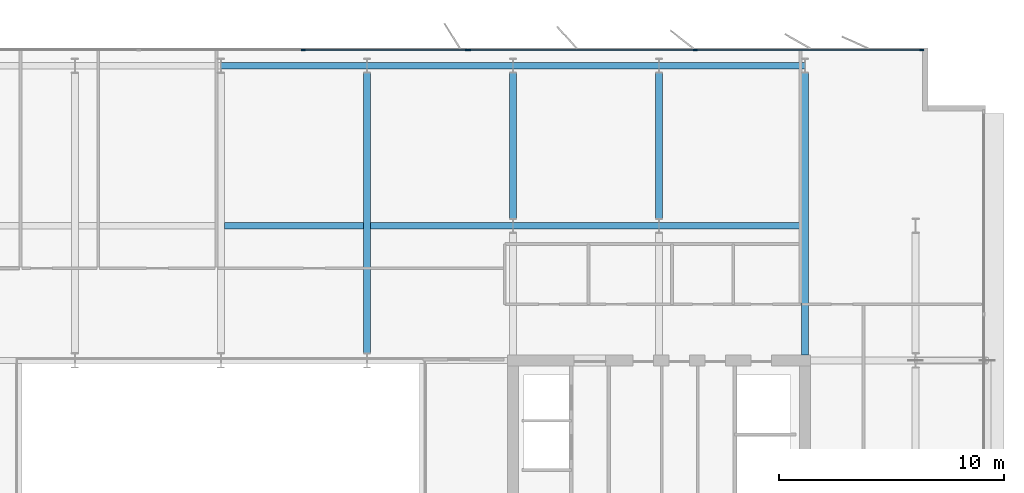
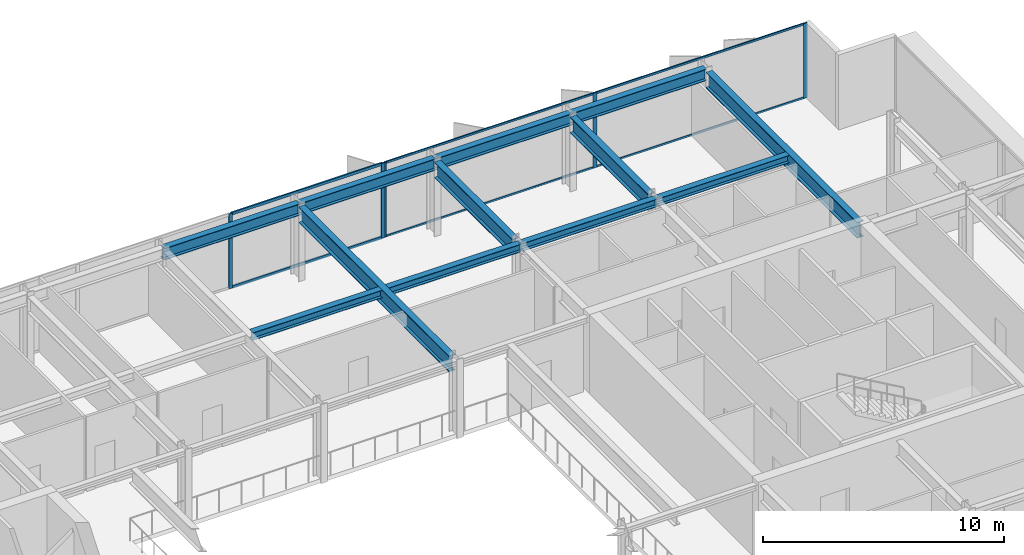
# One storey, part 9 of 20: 12 beams, 11 members, 2 elements without a shape of their own.
"""IFC4 building model written with IfcOpenShell, lengths in metres."""

from ifc_helpers import new_model, si_unit, direction, frame, origin, origin_2d, place, context, subcontext, project, spatial, rectangle, i_section, extrude, material, layer, layer_set, material_profile, profile_set, type_object, element, aggregate, save


model = new_model("IFC4")

# Units and contexts
model_context = context("Model", 3, precision=1e-05, world=origin(), true_north=direction((0.0, 1.0)))
body_context = subcontext(model_context, "Body", "Model", "MODEL_VIEW")
ifc_project = project(units=[si_unit("LENGTHUNIT", "METRE"), si_unit("AREAUNIT", "SQUARE_METRE"), si_unit("VOLUMEUNIT", "CUBIC_METRE"), si_unit("PLANEANGLEUNIT", "RADIAN"), si_unit("MASSUNIT", "GRAM", prefix="KILO")], contexts=[model_context])

# Site, building, storey
site_placement = place(None, origin())
site = spatial("IfcSite", under=ifc_project, at=site_placement, CompositionType="ELEMENT")
building_placement = place(site_placement, origin())
building = spatial("IfcBuilding", under=site, at=building_placement, Name="Putna Gate Headquarters", CompositionType="ELEMENT")
storey_placement = place(building_placement, frame((0.0, 0.0, 286.39990234375)))
storey = spatial("IfcBuildingStorey", under=building, at=storey_placement, Name="L72", CompositionType="ELEMENT", Elevation=286.39990234375)

# Beams
ifc_material_1 = material(Name="Steel S355J2", Category="steel")
ifc_material_profile_1 = material_profile(ifc_material_1, i_section(OverallWidth=0.300048828125, OverallDepth=0.800048828125, WebThickness=0.017578125, FlangeThickness=0.032958984375, at=origin_2d()), Name="Steel S355J2")
ifc_profile_set_1 = profile_set([ifc_material_profile_1], Name="Steel S355J2")
beam_type_1 = type_object("IfcBeamType", Name="BM-GIRD-P-HEB800", PredefinedType="USERDEFINED", material=ifc_profile_set_1)
beam_1_placement = place(storey_placement, frame((45.5, 33.322021484375, 3.38818359375), z_axis=(0.0, 1.0, 0.0), x_axis=(-1.0, 0.0, 0.0)))
element("IfcBeam", 1, at=beam_1_placement, inside=storey, type_object=beam_type_1, Name="L72 North Primary Girder X45", ObjectType="GIRDER", PredefinedType="USERDEFINED", context=body_context, shape_type="SweptSolid", body=[
    extrude(i_section(OverallWidth=0.300048828125, OverallDepth=0.800048828125, WebThickness=0.017578125, FlangeThickness=0.032958984375, at=origin_2d()), origin(), (0.0, 0.0, 1.0), 12.47607421875),
])
for number, where, z_axis, x_axis, name in (
    (2, (52.0, 39.322021484375, 3.38818359375), (0.0, 1.0, 0.0), (-1.0, 0.0, 0.0), "L72 North Primary Girder X52-2"),
    (3, (58.5, 39.322021484375, 3.38818359375), (0.0, 1.0, 0.0), (-1.0, 0.0, 0.0), "L72 North Primary Girder X58-2"),
):
    element("IfcBeam", number, at=place(storey_placement, frame(where, z_axis=z_axis, x_axis=x_axis)), inside=storey, type_object=beam_type_1, Name=name, ObjectType="GIRDER", PredefinedType="USERDEFINED", context=body_context, shape_type="SweptSolid", body=[
        extrude(i_section(OverallWidth=0.300048828125, OverallDepth=0.800048828125, WebThickness=0.017578125, FlangeThickness=0.032958984375, at=origin_2d()), origin(), (0.0, 0.0, 1.0), 6.47607421875),
    ])
beam_2_placement = place(storey_placement, frame((65.0, 33.235107421875, 3.38818359375), z_axis=(0.0, 1.0, 0.0), x_axis=(-1.0, 0.0, 0.0)))
element("IfcBeam", 4, at=beam_2_placement, inside=storey, type_object=beam_type_1, Name="L72 North Primary Girder X65", ObjectType="GIRDER", PredefinedType="USERDEFINED", context=body_context, shape_type="SweptSolid", body=[
    extrude(i_section(OverallWidth=0.300048828125, OverallDepth=0.800048828125, WebThickness=0.017578125, FlangeThickness=0.032958984375, at=origin_2d()), origin(), (0.0, 0.0, 1.0), 12.56298828125),
])
ifc_material_profile_2 = material_profile(ifc_material_1, i_section(OverallWidth=0.300048828125, OverallDepth=0.389892578125, WebThickness=0.010986328125, FlangeThickness=0.01904296875, at=origin_2d()), Name="Steel S355J2")
ifc_profile_set_2 = profile_set([ifc_material_profile_2], Name="Steel S355J2")
beam_type_2 = type_object("IfcBeamType", Name="BM-SEC-Z5-HEA400", PredefinedType="BEAM", material=ifc_profile_set_2)
beam_3_placement = place(storey_placement, frame((39.154052734375, 39.0, 3.593017578125), z_axis=(1.0, 0.0, 0.0), x_axis=(0.0, 1.0, 0.0)))
element("IfcBeam", 5, at=beam_3_placement, inside=storey, type_object=beam_type_2, Name="L72 North Secondary Beam 5", PredefinedType="BEAM", context=body_context, shape_type="SweptSolid", body=[
    extrude(i_section(OverallWidth=0.300048828125, OverallDepth=0.389892578125, WebThickness=0.010986328125, FlangeThickness=0.01904296875, at=origin_2d()), origin(), (0.0, 0.0, 1.0), 6.19189453125),
])
beam_4_placement = place(storey_placement, frame((45.654052734375, 39.0, 3.593017578125), z_axis=(1.0, 0.0, 0.0), x_axis=(0.0, 1.0, 0.0)))
element("IfcBeam", 6, at=beam_4_placement, inside=storey, type_object=beam_type_2, Name="L72 North Secondary Beam 6", PredefinedType="BEAM", context=body_context, shape_type="SweptSolid", body=[
    extrude(i_section(OverallWidth=0.300048828125, OverallDepth=0.389892578125, WebThickness=0.010986328125, FlangeThickness=0.01904296875, at=origin_2d()), origin(), (0.0, 0.0, 1.0), 6.33984375),
])
beam_5_placement = place(storey_placement, frame((52.006103515625, 39.0, 3.593017578125), z_axis=(1.0, 0.0, 0.0), x_axis=(0.0, 1.0, 0.0)))
element("IfcBeam", 7, at=beam_5_placement, inside=storey, type_object=beam_type_2, Name="L72 North Secondary Beam 7", PredefinedType="BEAM", context=body_context, shape_type="SweptSolid", body=[
    extrude(i_section(OverallWidth=0.300048828125, OverallDepth=0.389892578125, WebThickness=0.010986328125, FlangeThickness=0.01904296875, at=origin_2d()), origin(), (0.0, 0.0, 1.0), 6.48779296875),
])
beam_6_placement = place(storey_placement, frame((58.506103515625, 39.0, 3.593017578125), z_axis=(1.0, 0.0, 0.0), x_axis=(0.0, 1.0, 0.0)))
element("IfcBeam", 8, at=beam_6_placement, inside=storey, type_object=beam_type_2, Name="L72 North Secondary Beam 8", PredefinedType="BEAM", context=body_context, shape_type="SweptSolid", body=[
    extrude(i_section(OverallWidth=0.300048828125, OverallDepth=0.389892578125, WebThickness=0.010986328125, FlangeThickness=0.01904296875, at=origin_2d()), origin(), (0.0, 0.0, 1.0), 6.33984375),
])
ifc_material_profile_3 = material_profile(ifc_material_1, i_section(OverallWidth=0.300048828125, OverallDepth=0.590087890625, WebThickness=0.012939453125, FlangeThickness=0.02490234375, at=origin_2d()), Name="Steel S355J2")
ifc_profile_set_3 = profile_set([ifc_material_profile_3], Name="Steel S355J2")
beam_type_3 = type_object("IfcBeamType", Name="BM-SPAN-Z4-HEA600", PredefinedType="SPANDREL", material=ifc_profile_set_3)
for number, where, z_axis, x_axis, name in (
    (9, (39.006103515625, 46.1201171875, 3.4931640625), (1.0, 0.0, 0.0), (0.0, 1.0, 0.0), "L72 N Perimeter Spandrel 5"),
    (10, (45.506103515625, 46.1201171875, 3.4931640625), (1.0, 0.0, 0.0), (0.0, 1.0, 0.0), "L72 N Perimeter Spandrel 6"),
    (11, (52.006103515625, 46.1201171875, 3.4931640625), (1.0, 0.0, 0.0), (0.0, 1.0, 0.0), "L72 N Perimeter Spandrel 7"),
    (12, (58.506103515625, 46.1201171875, 3.4931640625), (1.0, 0.0, 0.0), (0.0, 1.0, 0.0), "L72 N Perimeter Spandrel 8"),
):
    element("IfcBeam", number, at=place(storey_placement, frame(where, z_axis=z_axis, x_axis=x_axis)), inside=storey, type_object=beam_type_3, Name=name, PredefinedType="SPANDREL", context=body_context, shape_type="SweptSolid", body=[
        extrude(i_section(OverallWidth=0.300048828125, OverallDepth=0.590087890625, WebThickness=0.012939453125, FlangeThickness=0.02490234375, at=origin_2d()), origin(), (0.0, 0.0, 1.0), 6.48779296875),
    ])

# Curtain wall, members
ifc_material_2 = material(Name="Anodised bronze aluminium curtain wall", Category="aluminium")
ifc_layer_1 = layer(ifc_material_2, 0.179931640625)
ifc_layer_set_1 = layer_set([ifc_layer_1], Name="Anodised bronze aluminium curtain wall")
curtain_wall_type_1 = type_object("IfcCurtainWallType", Name="CW-SYS-Z5", PredefinedType="USERDEFINED", material=ifc_layer_set_1)
curtain_wall_1_placement = place(storey_placement, origin())
curtain_wall_1 = element("IfcCurtainWall", 13, at=curtain_wall_1_placement, inside=storey, type_object=curtain_wall_type_1, Name="L72 North East Curtain Wall", ObjectType="STICK CURTAIN WALL", PredefinedType="USERDEFINED")
ifc_material_3 = material(Name="Anodised bronze aluminium EN AW-6060", Category="aluminium")
ifc_material_profile_4 = material_profile(ifc_material_3, rectangle(XDim=0.070068359375, YDim=0.179931640625, at=origin_2d()), Name="Anodised bronze aluminium EN AW-6060")
ifc_profile_set_4 = profile_set([ifc_material_profile_4], Name="Anodised bronze aluminium EN AW-6060")
member_type_1 = type_object("IfcMemberType", Name="MULL-CWM-5", PredefinedType="MULLION", material=ifc_profile_set_4)
member_1_placement = place(storey_placement, frame((50.034912109375, 46.820068359375, 0.0), z_axis=(0.0, 0.0, 1.0), x_axis=(0.0, 1.0, 0.0)))
member_1 = element("IfcMember", 14, at=member_1_placement, type_object=member_type_1, Name="CWS-5 mullion 1", PredefinedType="MULLION", context=body_context, shape_type="SweptSolid", body=[
    extrude(rectangle(XDim=0.070068359375, YDim=0.179931640625, at=origin_2d()), origin(), (0.0, 0.0, 1.0), 3.7880859375),
])
member_2_placement = place(storey_placement, frame((60.117431640625, 46.820068359375, 0.0), z_axis=(0.0, 0.0, 1.0), x_axis=(0.0, 1.0, 0.0)))
member_2 = element("IfcMember", 15, at=member_2_placement, type_object=member_type_1, Name="CWS-5 mullion 2", PredefinedType="MULLION", context=body_context, shape_type="SweptSolid", body=[
    extrude(rectangle(XDim=0.070068359375, YDim=0.179931640625, at=origin_2d()), origin(), (0.0, 0.0, 1.0), 3.7880859375),
])
member_3_placement = place(storey_placement, frame((70.2001953125, 46.820068359375, 0.0), z_axis=(0.0, 0.0, 1.0), x_axis=(0.0, 1.0, 0.0)))
member_3 = element("IfcMember", 16, at=member_3_placement, type_object=member_type_1, Name="CWS-5 mullion 3", PredefinedType="MULLION", context=body_context, shape_type="SweptSolid", body=[
    extrude(rectangle(XDim=0.070068359375, YDim=0.179931640625, at=origin_2d()), origin(), (0.0, 0.0, 1.0), 3.7880859375),
])

ifc_layer_2 = layer(ifc_material_2, 0.179931640625)
ifc_layer_set_2 = layer_set([ifc_layer_2], Name="Anodised bronze aluminium curtain wall")
curtain_wall_type_2 = type_object("IfcCurtainWallType", Name="CW-SYS-ATR", PredefinedType="USERDEFINED", material=ifc_layer_set_2)
curtain_wall_2_placement = place(storey_placement, origin())
curtain_wall_2 = element("IfcCurtainWall", 17, at=curtain_wall_2_placement, inside=storey, type_object=curtain_wall_type_2, Name="L72 North Atrium Clear Glazing", ObjectType="ATRIUM GLAZING", PredefinedType="USERDEFINED")
ifc_material_profile_5 = material_profile(ifc_material_3, rectangle(XDim=0.070068359375, YDim=0.179931640625, at=origin_2d()), Name="Anodised bronze aluminium EN AW-6060")
ifc_profile_set_5 = profile_set([ifc_material_profile_5], Name="Anodised bronze aluminium EN AW-6060")
member_type_2 = type_object("IfcMemberType", Name="MULL-CWM-AT", PredefinedType="MULLION", material=ifc_profile_set_5)
member_4_placement = place(storey_placement, frame((42.666748046875, 46.820068359375, 0.0), z_axis=(0.0, 0.0, 1.0), x_axis=(0.0, 1.0, 0.0)))
member_4 = element("IfcMember", 18, at=member_4_placement, type_object=member_type_2, Name="CWS-AT mullion 3", PredefinedType="MULLION", context=body_context, shape_type="SweptSolid", body=[
    extrude(rectangle(XDim=0.070068359375, YDim=0.179931640625, at=origin_2d()), origin(), (0.0, 0.0, 1.0), 3.7880859375),
])
member_5_placement = place(storey_placement, frame((49.965087890625, 46.820068359375, 0.0), z_axis=(0.0, 0.0, 1.0), x_axis=(0.0, 1.0, 0.0)))
member_5 = element("IfcMember", 19, at=member_5_placement, type_object=member_type_2, Name="CWS-AT mullion 4", PredefinedType="MULLION", context=body_context, shape_type="SweptSolid", body=[
    extrude(rectangle(XDim=0.070068359375, YDim=0.179931640625, at=origin_2d()), origin(), (0.0, 0.0, 1.0), 3.7880859375),
])

# Member
ifc_material_profile_6 = material_profile(ifc_material_3, rectangle(XDim=0.06005859375, YDim=0.10009765625, at=origin_2d()), Name="Anodised bronze aluminium EN AW-6060")
ifc_profile_set_6 = profile_set([ifc_material_profile_6], Name="Anodised bronze aluminium EN AW-6060")
member_type_3 = type_object("IfcMemberType", Name="TRAN-CWT-5", PredefinedType="USERDEFINED", material=ifc_profile_set_6)
member_6_placement = place(storey_placement, frame((50.070068359375, 46.820068359375, 0.030029296875), z_axis=(1.0, 0.0, 0.0), x_axis=(0.0, 1.0, 0.0)))
member_6 = element("IfcMember", 20, at=member_6_placement, type_object=member_type_3, Name="CWS-5 transom 1.1", ObjectType="TRANSOM", PredefinedType="USERDEFINED", context=body_context, shape_type="SweptSolid", body=[
    extrude(rectangle(XDim=0.06005859375, YDim=0.10009765625, at=origin_2d()), origin(), (0.0, 0.0, 1.0), 10.012451171875),
])

member_7_placement = place(storey_placement, frame((50.070068359375, 46.820068359375, 3.758056640625), z_axis=(1.0, 0.0, 0.0), x_axis=(0.0, 1.0, 0.0)))
member_7 = element("IfcMember", 21, at=member_7_placement, type_object=member_type_3, Name="CWS-5 transom 1.2", ObjectType="TRANSOM", PredefinedType="USERDEFINED", context=body_context, shape_type="SweptSolid", body=[
    extrude(rectangle(XDim=0.06005859375, YDim=0.10009765625, at=origin_2d()), origin(), (0.0, 0.0, 1.0), 10.012451171875),
])

member_8_placement = place(storey_placement, frame((60.152587890625, 46.820068359375, 0.030029296875), z_axis=(1.0, 0.0, 0.0), x_axis=(0.0, 1.0, 0.0)))
member_8 = element("IfcMember", 22, at=member_8_placement, type_object=member_type_3, Name="CWS-5 transom 2.1", ObjectType="TRANSOM", PredefinedType="USERDEFINED", context=body_context, shape_type="SweptSolid", body=[
    extrude(rectangle(XDim=0.06005859375, YDim=0.10009765625, at=origin_2d()), origin(), (0.0, 0.0, 1.0), 10.012451171875),
])

member_9_placement = place(storey_placement, frame((60.152587890625, 46.820068359375, 3.758056640625), z_axis=(1.0, 0.0, 0.0), x_axis=(0.0, 1.0, 0.0)))
member_9 = element("IfcMember", 23, at=member_9_placement, type_object=member_type_3, Name="CWS-5 transom 2.2", ObjectType="TRANSOM", PredefinedType="USERDEFINED", context=body_context, shape_type="SweptSolid", body=[
    extrude(rectangle(XDim=0.06005859375, YDim=0.10009765625, at=origin_2d()), origin(), (0.0, 0.0, 1.0), 10.012451171875),
])

aggregate(curtain_wall_1, [member_1, member_2, member_3, member_6, member_7, member_8, member_9])

ifc_material_profile_7 = material_profile(ifc_material_3, rectangle(XDim=0.070068359375, YDim=0.139892578125, at=origin_2d()), Name="Anodised bronze aluminium EN AW-6060")
ifc_profile_set_7 = profile_set([ifc_material_profile_7], Name="Anodised bronze aluminium EN AW-6060")
member_type_4 = type_object("IfcMemberType", Name="TRAN-CWT-AT", PredefinedType="USERDEFINED", material=ifc_profile_set_7)
member_10_placement = place(storey_placement, frame((42.70166015625, 46.820068359375, 0.03515625), z_axis=(1.0, 0.0, 0.0), x_axis=(0.0, 1.0, 0.0)))
member_10 = element("IfcMember", 24, at=member_10_placement, type_object=member_type_4, Name="CWS-AT transom 3.1", ObjectType="TRANSOM", PredefinedType="USERDEFINED", context=body_context, shape_type="SweptSolid", body=[
    extrude(rectangle(XDim=0.070068359375, YDim=0.139892578125, at=origin_2d()), origin(), (0.0, 0.0, 1.0), 7.228271484375),
])

member_11_placement = place(storey_placement, frame((42.70166015625, 46.820068359375, 3.753173828125), z_axis=(1.0, 0.0, 0.0), x_axis=(0.0, 1.0, 0.0)))
member_11 = element("IfcMember", 25, at=member_11_placement, type_object=member_type_4, Name="CWS-AT transom 3.2", ObjectType="TRANSOM", PredefinedType="USERDEFINED", context=body_context, shape_type="SweptSolid", body=[
    extrude(rectangle(XDim=0.070068359375, YDim=0.139892578125, at=origin_2d()), origin(), (0.0, 0.0, 1.0), 7.228271484375),
])

aggregate(curtain_wall_2, [member_4, member_5, member_10, member_11])

save(model, "model.ifc")
